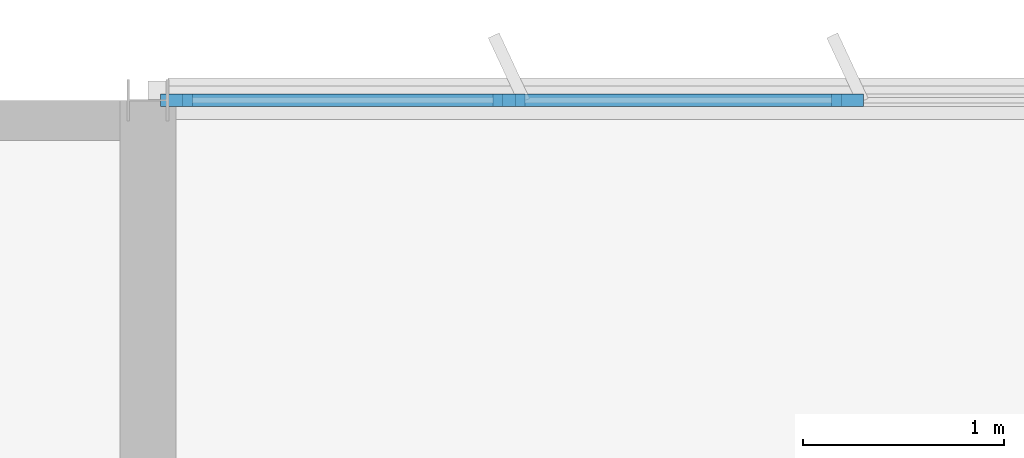
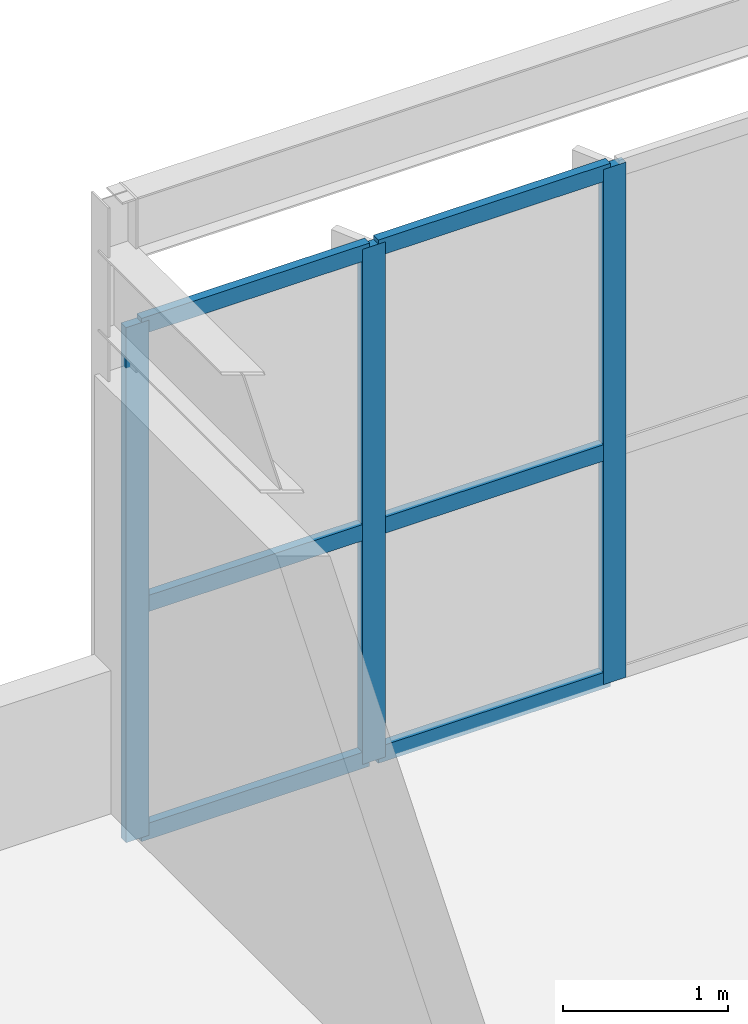
# One storey, part 73 of 186: 9 members, 1 element without a shape of its own.
"""IFC4 building model written with IfcOpenShell, lengths in metres."""

from ifc_helpers import new_model, si_unit, direction, frame, origin, origin_2d, place, context, subcontext, project, spatial, rectangle, extrude, material, layer, layer_set, material_profile, profile_set, type_object, element, aggregate, save


model = new_model("IFC4")

# Units and contexts
model_context = context("Model", 3, precision=1e-05, world=origin(), true_north=direction((0.0, 1.0)))
body_context = subcontext(model_context, "Body", "Model", "MODEL_VIEW")
ifc_project = project(units=[si_unit("LENGTHUNIT", "METRE"), si_unit("AREAUNIT", "SQUARE_METRE"), si_unit("VOLUMEUNIT", "CUBIC_METRE"), si_unit("PLANEANGLEUNIT", "RADIAN"), si_unit("MASSUNIT", "GRAM", prefix="KILO")], contexts=[model_context])

# Site, building, storey
site_placement = place(None, origin())
site = spatial("IfcSite", under=ifc_project, at=site_placement, CompositionType="ELEMENT")
building_placement = place(site_placement, origin())
building = spatial("IfcBuilding", under=site, at=building_placement, Name="Tarnwether General Hospital", CompositionType="ELEMENT")
storey_placement = place(building_placement, frame((0.0, 0.0, 9.60009765625)))
storey = spatial("IfcBuildingStorey", under=building, at=storey_placement, Name="L02", CompositionType="ELEMENT", Elevation=9.60009765625)

# Curtain wall, members
ifc_material_1 = material(Name="Anodised aluminium", Category="aluminium")
ifc_layer = layer(ifc_material_1, 0.159912109375)
ifc_layer_set = layer_set([ifc_layer], Name="Anodised aluminium")
curtain_wall_type = type_object("IfcCurtainWallType", Name="CW-17", PredefinedType="NOTDEFINED", material=ifc_layer_set)
curtain_wall_placement = place(storey_placement, origin())
curtain_wall = element("IfcCurtainWall", 1, at=curtain_wall_placement, inside=storey, type_object=curtain_wall_type, Name="Curtain Wall CWG-L02-601_1260-0403", PredefinedType="NOTDEFINED")
ifc_material_2 = material(Name="Anodised aluminium", Category="aluminium")
ifc_material_profile_1 = material_profile(ifc_material_2, rectangle(XDim=0.06005859375, YDim=0.159912109375, at=origin_2d()), Name="ALU-MUL-60x160")
ifc_profile_set_1 = profile_set([ifc_material_profile_1], Name="Anodised aluminium")
member_type_1 = type_object("IfcMemberType", Name="CW-ML1", PredefinedType="MULLION", material=ifc_profile_set_1)
member_1_placement = place(storey_placement, frame((60.14306640625, 126.0, 0.0), z_axis=(0.0, 0.0, 1.0), x_axis=(0.0, 1.0, 0.0)))
member_1 = element("IfcMember", 2, at=member_1_placement, type_object=member_type_1, Name="CW-17 mullion 1", PredefinedType="MULLION", context=body_context, shape_type="SweptSolid", body=[
    extrude(rectangle(XDim=0.06005859375, YDim=0.159912109375, at=origin_2d()), origin(), (0.0, 0.0, 1.0), 3.81298828125),
])
member_2_placement = place(storey_placement, frame((61.79931640625, 126.0, 0.0), z_axis=(0.0, 0.0, 1.0), x_axis=(0.0, 1.0, 0.0)))
member_2 = element("IfcMember", 3, at=member_2_placement, type_object=member_type_1, Name="CW-17 mullion 2", PredefinedType="MULLION", context=body_context, shape_type="SweptSolid", body=[
    extrude(rectangle(XDim=0.06005859375, YDim=0.159912109375, at=origin_2d()), origin(), (0.0, 0.0, 1.0), 3.81298828125),
])
member_3_placement = place(storey_placement, frame((63.485595703125, 126.0, 0.0), z_axis=(0.0, 0.0, 1.0), x_axis=(0.0, 1.0, 0.0)))
member_3 = element("IfcMember", 4, at=member_3_placement, type_object=member_type_1, Name="CW-17 mullion 3", PredefinedType="MULLION", context=body_context, shape_type="SweptSolid", body=[
    extrude(rectangle(XDim=0.06005859375, YDim=0.159912109375, at=origin_2d()), origin(), (0.0, 0.0, 1.0), 3.81298828125),
])
ifc_material_3 = material(Name="Anodised aluminium", Category="aluminium")
ifc_material_profile_2 = material_profile(ifc_material_3, rectangle(XDim=0.06005859375, YDim=0.1201171875, at=origin_2d()), Name="ALU-TRN-60x120")
ifc_profile_set_2 = profile_set([ifc_material_profile_2], Name="Anodised aluminium")
member_type_2 = type_object("IfcMemberType", Name="CW-TR1", PredefinedType="USERDEFINED", material=ifc_profile_set_2)
member_4_placement = place(storey_placement, frame((60.173095703125, 126.0, 0.02978515625), z_axis=(1.0, 0.0, 0.0), x_axis=(0.0, 1.0, 0.0)))
member_4 = element("IfcMember", 5, at=member_4_placement, type_object=member_type_2, Name="CW-17 transom 1.1", ObjectType="TRANSOM", PredefinedType="USERDEFINED", context=body_context, shape_type="SweptSolid", body=[
    extrude(rectangle(XDim=0.06005859375, YDim=0.1201171875, at=origin_2d()), origin(), (0.0, 0.0, 1.0), 1.59619140625),
])
member_5_placement = place(storey_placement, frame((60.173095703125, 126.0, 1.7158203125), z_axis=(1.0, 0.0, 0.0), x_axis=(0.0, 1.0, 0.0)))
member_5 = element("IfcMember", 6, at=member_5_placement, type_object=member_type_2, Name="CW-17 transom 1.2", ObjectType="TRANSOM", PredefinedType="USERDEFINED", context=body_context, shape_type="SweptSolid", body=[
    extrude(rectangle(XDim=0.06005859375, YDim=0.1201171875, at=origin_2d()), origin(), (0.0, 0.0, 1.0), 1.59619140625),
])
member_6_placement = place(storey_placement, frame((60.173095703125, 126.0, 3.782958984375), z_axis=(1.0, 0.0, 0.0), x_axis=(0.0, 1.0, 0.0)))
member_6 = element("IfcMember", 7, at=member_6_placement, type_object=member_type_2, Name="CW-17 transom 1.3", ObjectType="TRANSOM", PredefinedType="USERDEFINED", context=body_context, shape_type="SweptSolid", body=[
    extrude(rectangle(XDim=0.06005859375, YDim=0.1201171875, at=origin_2d()), origin(), (0.0, 0.0, 1.0), 1.59619140625),
])
member_7_placement = place(storey_placement, frame((61.829345703125, 126.0, 0.02978515625), z_axis=(1.0, 0.0, 0.0), x_axis=(0.0, 1.0, 0.0)))
member_7 = element("IfcMember", 8, at=member_7_placement, type_object=member_type_2, Name="CW-17 transom 2.1", ObjectType="TRANSOM", PredefinedType="USERDEFINED", context=body_context, shape_type="SweptSolid", body=[
    extrude(rectangle(XDim=0.06005859375, YDim=0.1201171875, at=origin_2d()), origin(), (0.0, 0.0, 1.0), 1.626220703125),
])
member_8_placement = place(storey_placement, frame((61.829345703125, 126.0, 1.7158203125), z_axis=(1.0, 0.0, 0.0), x_axis=(0.0, 1.0, 0.0)))
member_8 = element("IfcMember", 9, at=member_8_placement, type_object=member_type_2, Name="CW-17 transom 2.2", ObjectType="TRANSOM", PredefinedType="USERDEFINED", context=body_context, shape_type="SweptSolid", body=[
    extrude(rectangle(XDim=0.06005859375, YDim=0.1201171875, at=origin_2d()), origin(), (0.0, 0.0, 1.0), 1.626220703125),
])
member_9_placement = place(storey_placement, frame((61.829345703125, 126.0, 3.782958984375), z_axis=(1.0, 0.0, 0.0), x_axis=(0.0, 1.0, 0.0)))
member_9 = element("IfcMember", 10, at=member_9_placement, type_object=member_type_2, Name="CW-17 transom 2.3", ObjectType="TRANSOM", PredefinedType="USERDEFINED", context=body_context, shape_type="SweptSolid", body=[
    extrude(rectangle(XDim=0.06005859375, YDim=0.1201171875, at=origin_2d()), origin(), (0.0, 0.0, 1.0), 1.626220703125),
])
aggregate(curtain_wall, [member_1, member_2, member_3, member_4, member_5, member_6, member_7, member_8, member_9])

save(model, "model.ifc")
